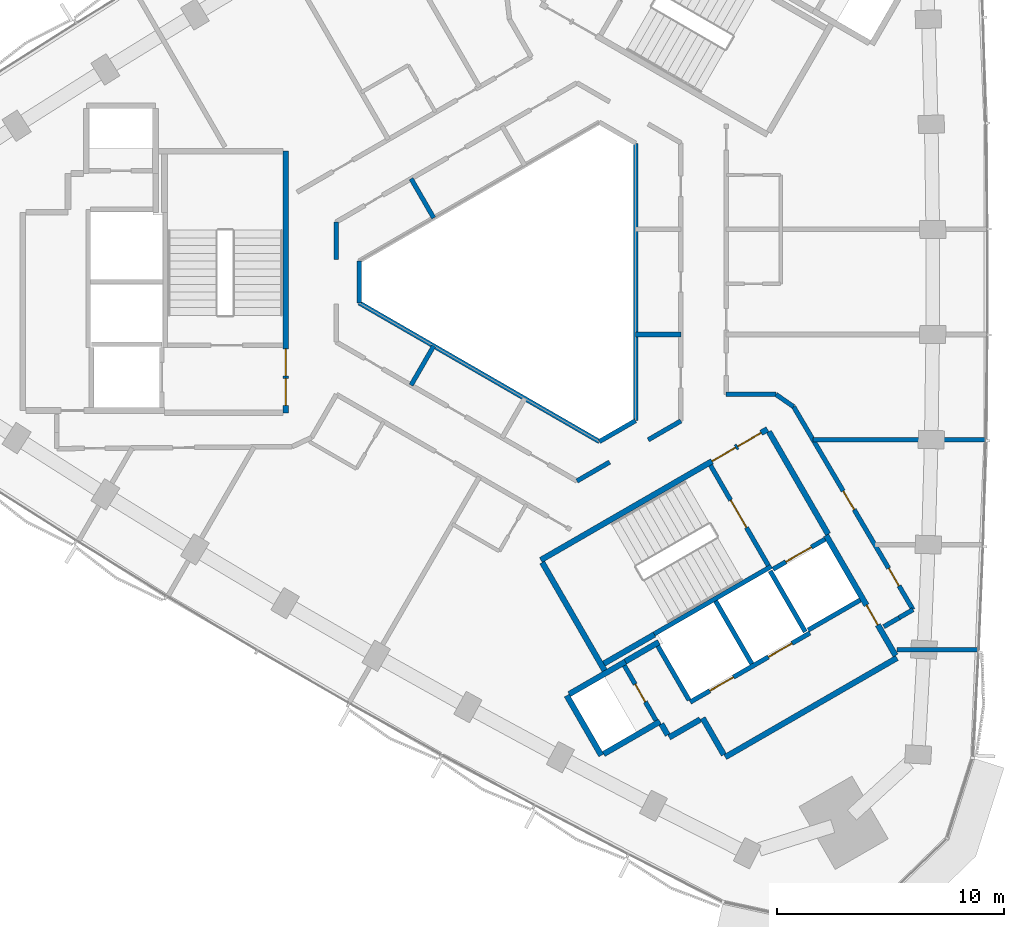
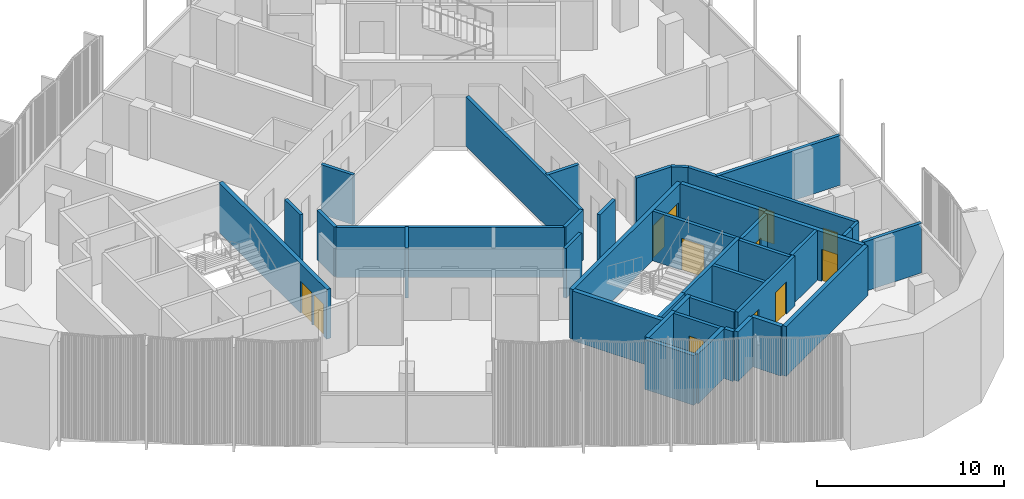
# One storey, part 8 of 14: 40 walls, 12 doors, 12 openings.
"""IFC4 building model written with IfcOpenShell, lengths in metres."""

from ifc_helpers import new_model, si_unit, direction, frame, frame_2d, origin, place, context, subcontext, project, spatial, rectangle, extrude, material, layer, layer_set, type_object, element, fill, save


model = new_model("IFC4")

# Units and contexts
model_context = context("Model", 3, precision=1e-05, world=origin(), true_north=direction((0.0, 1.0)))
body_context = subcontext(model_context, "Body", "Model", "MODEL_VIEW")
ifc_project = project(units=[si_unit("LENGTHUNIT", "METRE"), si_unit("AREAUNIT", "SQUARE_METRE"), si_unit("VOLUMEUNIT", "CUBIC_METRE"), si_unit("PLANEANGLEUNIT", "RADIAN"), si_unit("MASSUNIT", "GRAM", prefix="KILO")], contexts=[model_context])

# Site, building, storey
site_placement = place(None, origin())
site = spatial("IfcSite", under=ifc_project, at=site_placement, CompositionType="ELEMENT")
building_placement = place(site_placement, origin())
building = spatial("IfcBuilding", under=site, at=building_placement, Name="Tamra Quay Hotel Tower", CompositionType="ELEMENT")
storey_placement = place(building_placement, frame((0.0, 0.0, 197.199951171875)))
storey = spatial("IfcBuildingStorey", under=building, at=storey_placement, Name="L49", CompositionType="ELEMENT", Elevation=197.199951171875)

# Wall
ifc_material_1 = material(Name="Concrete M70", Category="concrete")
ifc_layer_1 = layer(ifc_material_1, 0.199951171875)
ifc_layer_set_1 = layer_set([ifc_layer_1], Name="Concrete M70 core wall 200")
wall_type_1 = type_object("IfcWallType", Name="Concrete M70 core wall 200", PredefinedType="SHEAR", material=ifc_layer_set_1)
wall_1_placement = place(storey_placement, frame((5.4189453125, -15.533935546875, 0.0), z_axis=(0.0, 0.0, 1.0), x_axis=(0.866029065029, 0.499993658486, 0.0)))
element("IfcWall", 1, at=wall_1_placement, inside=storey, type_object=wall_type_1, Name="CW2", PredefinedType="SHEAR", context=body_context, shape_type="SweptSolid", body=[
    extrude(rectangle(XDim=5.97412109375, YDim=0.199951171875, at=frame_2d((2.987060546875, 0.0))), origin(), (0.0, 0.0, 1.0), 3.25),
])

# Wall, openings, doors
wall_2_placement = place(storey_placement, frame((7.009765625, -18.54150390625, 0.0), z_axis=(0.0, 0.0, 1.0), x_axis=(0.866030299012, 0.499991521122, 0.0)))
wall_2 = element("IfcWall", 2, at=wall_2_placement, inside=storey, type_object=wall_type_1, Name="CW2", PredefinedType="SHEAR", context=body_context, shape_type="SweptSolid", body=[
    extrude(rectangle(XDim=6.10009765625, YDim=0.199951171875, at=frame_2d((3.050048828125, 0.0))), origin(), (0.0, 0.0, 1.0), 3.25),
])
opening_1_placement = place(wall_2_placement, frame((1.0, 0.0, 0.0)))
opening_1 = element("IfcOpeningElement", 3, at=opening_1_placement, cuts=wall_2, Name="Opening LD", PredefinedType="OPENING", context=body_context, shape_type="SweptSolid", body=[
    extrude(rectangle(XDim=1.199951171875, YDim=2.10009765625, at=frame_2d((0.60009765625, 1.050048828125))), frame((0.0, 0.10986328125, 0.0), z_axis=(0.0, -1.0, 0.0), x_axis=(1.0, 0.0, 0.0)), (0.0, 0.0, 1.0), 0.219970703125),
])
opening_2_placement = place(wall_2_placement, frame((3.982177734375, 0.0, 0.0)))
opening_2 = element("IfcOpeningElement", 4, at=opening_2_placement, cuts=wall_2, Name="Opening LD", PredefinedType="OPENING", context=body_context, shape_type="SweptSolid", body=[
    extrude(rectangle(XDim=1.199951171875, YDim=2.10009765625, at=frame_2d((0.60009765625, 1.050048828125))), frame((0.0, 0.10986328125, 0.0), z_axis=(0.0, -1.0, 0.0), x_axis=(1.0, 0.0, 0.0)), (0.0, 0.0, 1.0), 0.219970703125),
])
ifc_material_2 = material(Name="Landing door LD 1200 double door sliding")
door_type_1 = type_object("IfcDoorType", Name="Landing door LD 1200 double door sliding", OperationType="DOUBLE_DOOR_SLIDING", PredefinedType="DOOR", material=ifc_material_2)
door_1_placement = place(opening_1_placement, origin())
door_1 = element("IfcDoor", 5, at=door_1_placement, inside=storey, type_object=door_type_1, Name="LD", OperationType="DOUBLE_DOOR_SLIDING", OverallHeight=2.10009765625, OverallWidth=1.199951171875, PredefinedType="DOOR", context=body_context, shape_type="SweptSolid", body=[
    extrude(rectangle(XDim=1.199951171875, YDim=2.10009765625, at=frame_2d((0.60009765625, 1.050048828125))), frame((0.0, 0.02490234375, 0.0), z_axis=(0.0, -1.0, 0.0), x_axis=(1.0, 0.0, 0.0)), (0.0, 0.0, 1.0), 0.050048828125),
])
fill(opening_1, door_1)
door_2_placement = place(opening_2_placement, origin())
door_2 = element("IfcDoor", 6, at=door_2_placement, inside=storey, type_object=door_type_1, Name="LD", OperationType="DOUBLE_DOOR_SLIDING", OverallHeight=2.10009765625, OverallWidth=1.199951171875, PredefinedType="DOOR", context=body_context, shape_type="SweptSolid", body=[
    extrude(rectangle(XDim=1.199951171875, YDim=2.10009765625, at=frame_2d((0.60009765625, 1.050048828125))), frame((0.0, 0.02490234375, 0.0), z_axis=(0.0, -1.0, 0.0), x_axis=(1.0, 0.0, 0.0)), (0.0, 0.0, 1.0), 0.050048828125),
])
fill(opening_2, door_2)

# Wall, opening, door
wall_3_placement = place(storey_placement, frame((7.906494140625, -8.094482421875, 0.0), z_axis=(0.0, 0.0, 1.0), x_axis=(0.500027839223, -0.866009330205, 0.0)))
wall_3 = element("IfcWall", 7, at=wall_3_placement, inside=storey, type_object=wall_type_1, Name="CW2", PredefinedType="SHEAR", context=body_context, shape_type="SweptSolid", body=[
    extrude(rectangle(XDim=5.097900390625, YDim=0.199951171875, at=frame_2d((2.548828125, 0.0))), origin(), (0.0, 0.0, 1.0), 3.25),
])
opening_3_placement = place(wall_3_placement, frame((1.77392578125, 0.0, 0.0)))
opening_3 = element("IfcOpeningElement", 8, at=opening_3_placement, cuts=wall_3, Name="Opening FD2", PredefinedType="OPENING", context=body_context, shape_type="SweptSolid", body=[
    extrude(rectangle(XDim=1.39990234375, YDim=2.10009765625, at=frame_2d((0.699951171875, 1.050048828125))), frame((0.0, 0.10986328125, 0.0), z_axis=(0.0, -1.0, 0.0), x_axis=(1.0, 0.0, 0.0)), (0.0, 0.0, 1.0), 0.219970703125),
])
ifc_material_3 = material(Name="Core door FD2 1400x2100 LH")
door_type_2 = type_object("IfcDoorType", Name="Core door FD2 1400x2100 LH", OperationType="NOTDEFINED", PredefinedType="DOOR", material=ifc_material_3)
door_3_placement = place(opening_3_placement, origin())
door_3 = element("IfcDoor", 9, at=door_3_placement, inside=storey, type_object=door_type_2, Name="FD2", OperationType="SINGLE_SWING_LEFT", OverallHeight=2.10009765625, OverallWidth=1.39990234375, PredefinedType="DOOR", context=body_context, shape_type="SweptSolid", body=[
    extrude(rectangle(XDim=1.39990234375, YDim=2.10009765625, at=frame_2d((0.699951171875, 1.050048828125))), frame((0.0, 0.02490234375, 0.0), z_axis=(0.0, -1.0, 0.0), x_axis=(1.0, 0.0, 0.0)), (0.0, 0.0, 1.0), 0.050048828125),
])
fill(opening_3, door_3)

# Wall
wall_4_placement = place(storey_placement, frame((8.131591796875, -14.084228515625, 0.0), z_axis=(0.0, 0.0, 1.0), x_axis=(0.499997778408, -0.866026686418, 0.0)))
element("IfcWall", 10, at=wall_4_placement, inside=storey, type_object=wall_type_1, Name="CW2", PredefinedType="SHEAR", context=body_context, shape_type="SweptSolid", body=[
    extrude(rectangle(XDim=3.1982421875, YDim=0.199951171875, at=frame_2d((1.59912109375, 0.0))), origin(), (0.0, 0.0, 1.0), 3.25),
])

# Wall, opening, door
wall_5_placement = place(storey_placement, frame((5.50341796875, -19.352294921875, 0.0), z_axis=(0.0, 0.0, 1.0), x_axis=(-0.499986818241, 0.866033014143, 0.0)))
wall_5 = element("IfcWall", 11, at=wall_5_placement, inside=storey, type_object=wall_type_1, Name="CW2", PredefinedType="SHEAR", context=body_context, shape_type="SweptSolid", body=[
    extrude(rectangle(XDim=2.7978515625, YDim=0.199951171875, at=frame_2d((1.39892578125, 0.0))), origin(), (0.0, 0.0, 1.0), 3.25),
])
opening_4_placement = place(wall_5_placement, frame((0.948974609375, 0.0, 0.0)))
opening_4 = element("IfcOpeningElement", 12, at=opening_4_placement, cuts=wall_5, Name="Opening D1", PredefinedType="OPENING", context=body_context, shape_type="SweptSolid", body=[
    extrude(rectangle(XDim=0.89990234375, YDim=2.10009765625, at=frame_2d((0.449951171875, 1.050048828125))), frame((0.0, 0.10986328125, 0.0), z_axis=(0.0, -1.0, 0.0), x_axis=(1.0, 0.0, 0.0)), (0.0, 0.0, 1.0), 0.219970703125),
])
ifc_material_4 = material(Name="Core door D1 900x2100 RH")
door_type_3 = type_object("IfcDoorType", Name="Core door D1 900x2100 RH", OperationType="NOTDEFINED", PredefinedType="DOOR", material=ifc_material_4)
door_4_placement = place(opening_4_placement, origin())
door_4 = element("IfcDoor", 13, at=door_4_placement, inside=storey, type_object=door_type_3, Name="D1", OperationType="SINGLE_SWING_RIGHT", OverallHeight=2.10009765625, OverallWidth=0.89990234375, PredefinedType="DOOR", context=body_context, shape_type="SweptSolid", body=[
    extrude(rectangle(XDim=0.89990234375, YDim=2.10009765625, at=frame_2d((0.449951171875, 1.050048828125))), frame((0.0, 0.02490234375, 0.0), z_axis=(0.0, -1.0, 0.0), x_axis=(1.0, 0.0, 0.0)), (0.0, 0.0, 1.0), 0.050048828125),
])
fill(opening_4, door_4)

# Walls
wall_6_placement = place(storey_placement, frame((6.959716796875, -18.455078125, 0.0), z_axis=(0.0, 0.0, 1.0), x_axis=(-0.499926705758, 0.866067716099, 0.0)))
element("IfcWall", 14, at=wall_6_placement, inside=storey, type_object=wall_type_1, Name="CW2", PredefinedType="SHEAR", context=body_context, shape_type="SweptSolid", body=[
    extrude(rectangle(XDim=2.75927734375, YDim=0.199951171875, at=frame_2d((1.379638671875, 0.0))), origin(), (0.0, 0.0, 1.0), 3.25),
])
wall_7_placement = place(storey_placement, frame((12.087646484375, -15.4365234375, 0.0), z_axis=(0.0, 0.0, 1.0), x_axis=(-0.500026960575, 0.86600983753, 0.0)))
element("IfcWall", 15, at=wall_7_placement, inside=storey, type_object=wall_type_1, Name="CW2", PredefinedType="SHEAR", context=body_context, shape_type="SweptSolid", body=[
    extrude(rectangle(XDim=3.099853515625, YDim=0.199951171875, at=frame_2d((1.5498046875, 0.0))), origin(), (0.0, 0.0, 1.0), 3.25),
])

# Wall, opening, door
wall_8_placement = place(storey_placement, frame((10.666015625, -12.677734375, 0.0), z_axis=(0.0, 0.0, 1.0), x_axis=(0.866018407898, 0.500012117035, 0.0)))
wall_8 = element("IfcWall", 16, at=wall_8_placement, inside=storey, type_object=wall_type_1, Name="CW2", PredefinedType="SHEAR", context=body_context, shape_type="SweptSolid", body=[
    extrude(rectangle(XDim=2.65087890625, YDim=0.199951171875, at=frame_2d((1.325439453125, 0.0))), origin(), (0.0, 0.0, 1.0), 3.25),
])
opening_5_placement = place(wall_8_placement, frame((0.65185546875, 0.0, 0.0)))
opening_5 = element("IfcOpeningElement", 17, at=opening_5_placement, cuts=wall_8, Name="Opening LD", PredefinedType="OPENING", context=body_context, shape_type="SweptSolid", body=[
    extrude(rectangle(XDim=1.300048828125, YDim=2.10009765625, at=frame_2d((0.64990234375, 1.050048828125))), frame((0.0, 0.10986328125, 0.0), z_axis=(0.0, -1.0, 0.0), x_axis=(1.0, 0.0, 0.0)), (0.0, 0.0, 1.0), 0.219970703125),
])
ifc_material_5 = material(Name="Landing door LD 1300 sliding to left")
door_type_4 = type_object("IfcDoorType", Name="Landing door LD 1300 sliding to left", OperationType="NOTDEFINED", PredefinedType="DOOR", material=ifc_material_5)
door_5_placement = place(opening_5_placement, origin())
door_5 = element("IfcDoor", 18, at=door_5_placement, inside=storey, type_object=door_type_4, Name="LD", OperationType="SLIDING_TO_LEFT", OverallHeight=2.10009765625, OverallWidth=1.300048828125, PredefinedType="DOOR", context=body_context, shape_type="SweptSolid", body=[
    extrude(rectangle(XDim=1.300048828125, YDim=2.10009765625, at=frame_2d((0.64990234375, 1.050048828125))), frame((0.0, 0.02490234375, 0.0), z_axis=(0.0, -1.0, 0.0), x_axis=(1.0, 0.0, 0.0)), (0.0, 0.0, 1.0), 0.050048828125),
])
fill(opening_5, door_5)

# Wall
wall_9_placement = place(storey_placement, frame((14.51171875, -14.037109375, 0.0), z_axis=(0.0, 0.0, 1.0), x_axis=(-0.866018407898, -0.500012117035, 0.0)))
element("IfcWall", 19, at=wall_9_placement, inside=storey, type_object=wall_type_1, Name="CW2", PredefinedType="SHEAR", context=body_context, shape_type="SweptSolid", body=[
    extrude(rectangle(XDim=2.65087890625, YDim=0.199951171875, at=frame_2d((1.325439453125, 0.0))), origin(), (0.0, 0.0, 1.0), 3.25),
])

# Wall, openings, doors
ifc_layer_2 = layer(ifc_material_1, 0.25)
ifc_layer_set_2 = layer_set([ifc_layer_2], Name="Concrete M70 core wall 250")
wall_type_2 = type_object("IfcWallType", Name="Concrete M70 core wall 250", PredefinedType="SHEAR", material=ifc_layer_set_2)
wall_10_placement = place(storey_placement, frame((-10.83740234375, 5.77490234375, 0.0), z_axis=(0.0, 0.0, 1.0), x_axis=(0.0, -1.0, 0.0)))
wall_10 = element("IfcWall", 20, at=wall_10_placement, inside=storey, type_object=wall_type_2, Name="CW1", PredefinedType="SHEAR", context=body_context, shape_type="SweptSolid", body=[
    extrude(rectangle(XDim=11.5498046875, YDim=0.25, at=frame_2d((5.77490234375, 0.0))), origin(), (0.0, 0.0, 1.0), 3.25),
])
opening_6_placement = place(wall_10_placement, frame((10.02490234375, 0.0, 0.0)))
opening_6 = element("IfcOpeningElement", 21, at=opening_6_placement, cuts=wall_10, Name="Opening FD1", PredefinedType="OPENING", context=body_context, shape_type="SweptSolid", body=[
    extrude(rectangle(XDim=1.199951171875, YDim=2.10009765625, at=frame_2d((0.60009765625, 1.050048828125))), frame((0.0, 0.135009765625, 0.0), z_axis=(0.0, -1.0, 0.0), x_axis=(1.0, 0.0, 0.0)), (0.0, 0.0, 1.0), 0.27001953125),
])
opening_7_placement = place(wall_10_placement, frame((8.72509765625, 0.0, 0.0)))
opening_7 = element("IfcOpeningElement", 22, at=opening_7_placement, cuts=wall_10, Name="Opening FD1", PredefinedType="OPENING", context=body_context, shape_type="SweptSolid", body=[
    extrude(rectangle(XDim=1.199951171875, YDim=2.10009765625, at=frame_2d((0.60009765625, 1.050048828125))), frame((0.0, 0.135009765625, 0.0), z_axis=(0.0, -1.0, 0.0), x_axis=(1.0, 0.0, 0.0)), (0.0, 0.0, 1.0), 0.27001953125),
])
ifc_material_6 = material(Name="Core door FD1 1200x2100 LH")
door_type_5 = type_object("IfcDoorType", Name="Core door FD1 1200x2100 LH", OperationType="NOTDEFINED", PredefinedType="DOOR", material=ifc_material_6)
door_6_placement = place(opening_6_placement, origin())
door_6 = element("IfcDoor", 23, at=door_6_placement, inside=storey, type_object=door_type_5, Name="FD1", OperationType="SINGLE_SWING_LEFT", OverallHeight=2.10009765625, OverallWidth=1.199951171875, PredefinedType="DOOR", context=body_context, shape_type="SweptSolid", body=[
    extrude(rectangle(XDim=1.199951171875, YDim=2.10009765625, at=frame_2d((0.60009765625, 1.050048828125))), frame((0.0, 0.02490234375, 0.0), z_axis=(0.0, -1.0, 0.0), x_axis=(1.0, 0.0, 0.0)), (0.0, 0.0, 1.0), 0.050048828125),
])
fill(opening_6, door_6)
ifc_material_7 = material(Name="Core door FD1 1200x2100 RH")
door_type_6 = type_object("IfcDoorType", Name="Core door FD1 1200x2100 RH", OperationType="NOTDEFINED", PredefinedType="DOOR", material=ifc_material_7)
door_7_placement = place(opening_7_placement, origin())
door_7 = element("IfcDoor", 24, at=door_7_placement, inside=storey, type_object=door_type_6, Name="FD1", OperationType="SINGLE_SWING_RIGHT", OverallHeight=2.10009765625, OverallWidth=1.199951171875, PredefinedType="DOOR", context=body_context, shape_type="SweptSolid", body=[
    extrude(rectangle(XDim=1.199951171875, YDim=2.10009765625, at=frame_2d((0.60009765625, 1.050048828125))), frame((0.0, 0.02490234375, 0.0), z_axis=(0.0, -1.0, 0.0), x_axis=(1.0, 0.0, 0.0)), (0.0, 0.0, 1.0), 0.050048828125),
])
fill(opening_7, door_7)

wall_11_placement = place(storey_placement, frame((0.417236328125, -12.27294921875, 0.0), z_axis=(0.0, 0.0, 1.0), x_axis=(0.866021906294, 0.500006057782, 0.0)))
wall_11 = element("IfcWall", 25, at=wall_11_placement, inside=storey, type_object=wall_type_2, Name="CW1", PredefinedType="SHEAR", context=body_context, shape_type="SweptSolid", body=[
    extrude(rectangle(XDim=11.550048828125, YDim=0.25, at=frame_2d((5.77490234375, 0.0))), origin(), (0.0, 0.0, 1.0), 3.25),
])
opening_8_placement = place(wall_11_placement, frame((10.024658203125, 0.0, 0.0)))
opening_8 = element("IfcOpeningElement", 26, at=opening_8_placement, cuts=wall_11, Name="Opening FD1", PredefinedType="OPENING", context=body_context, shape_type="SweptSolid", body=[
    extrude(rectangle(XDim=1.199951171875, YDim=2.10009765625, at=frame_2d((0.60009765625, 1.050048828125))), frame((0.0, 0.135009765625, 0.0), z_axis=(0.0, -1.0, 0.0), x_axis=(1.0, 0.0, 0.0)), (0.0, 0.0, 1.0), 0.27001953125),
])
opening_9_placement = place(wall_11_placement, frame((8.724609375, 0.0, 0.0)))
opening_9 = element("IfcOpeningElement", 27, at=opening_9_placement, cuts=wall_11, Name="Opening FD1", PredefinedType="OPENING", context=body_context, shape_type="SweptSolid", body=[
    extrude(rectangle(XDim=1.199951171875, YDim=2.10009765625, at=frame_2d((0.60009765625, 1.050048828125))), frame((0.0, 0.135009765625, 0.0), z_axis=(0.0, -1.0, 0.0), x_axis=(1.0, 0.0, 0.0)), (0.0, 0.0, 1.0), 0.27001953125),
])
door_8_placement = place(opening_8_placement, origin())
door_8 = element("IfcDoor", 28, at=door_8_placement, inside=storey, type_object=door_type_5, Name="FD1", OperationType="SINGLE_SWING_LEFT", OverallHeight=2.10009765625, OverallWidth=1.199951171875, PredefinedType="DOOR", context=body_context, shape_type="SweptSolid", body=[
    extrude(rectangle(XDim=1.199951171875, YDim=2.10009765625, at=frame_2d((0.60009765625, 1.050048828125))), frame((0.0, 0.02490234375, 0.0), z_axis=(0.0, -1.0, 0.0), x_axis=(1.0, 0.0, 0.0)), (0.0, 0.0, 1.0), 0.050048828125),
])
fill(opening_8, door_8)
door_9_placement = place(opening_9_placement, origin())
door_9 = element("IfcDoor", 29, at=door_9_placement, inside=storey, type_object=door_type_6, Name="FD1", OperationType="SINGLE_SWING_RIGHT", OverallHeight=2.10009765625, OverallWidth=1.199951171875, PredefinedType="DOOR", context=body_context, shape_type="SweptSolid", body=[
    extrude(rectangle(XDim=1.199951171875, YDim=2.10009765625, at=frame_2d((0.60009765625, 1.050048828125))), frame((0.0, 0.02490234375, 0.0), z_axis=(0.0, -1.0, 0.0), x_axis=(1.0, 0.0, 0.0)), (0.0, 0.0, 1.0), 0.050048828125),
])
fill(opening_9, door_9)

# Wall
wall_12_placement = place(storey_placement, frame((16.13330078125, -16.59375, 0.0), z_axis=(0.0, 0.0, 1.0), x_axis=(-0.866022959057, -0.500004234368, 0.0)))
element("IfcWall", 30, at=wall_12_placement, inside=storey, type_object=wall_type_2, Name="CW1", PredefinedType="SHEAR", context=body_context, shape_type="SweptSolid", body=[
    extrude(rectangle(XDim=8.75, YDim=0.25, at=frame_2d((4.375, 0.0))), origin(), (0.0, 0.0, 1.0), 3.25),
])

# Wall, opening, door
wall_13_placement = place(storey_placement, frame((13.00830078125, -11.18115234375, 0.0), z_axis=(0.0, 0.0, 1.0), x_axis=(0.500001955336, -0.866024274868, 0.0)))
wall_13 = element("IfcWall", 31, at=wall_13_placement, inside=storey, type_object=wall_type_2, Name="CW1", PredefinedType="SHEAR", context=body_context, shape_type="SweptSolid", body=[
    extrude(rectangle(XDim=6.12451171875, YDim=0.25, at=frame_2d((3.062255859375, 0.0))), origin(), (0.0, 0.0, 1.0), 3.25),
])
opening_10_placement = place(wall_13_placement, frame((3.562744140625, 0.0, 0.0)))
opening_10 = element("IfcOpeningElement", 32, at=opening_10_placement, cuts=wall_13, Name="Opening FD3", PredefinedType="OPENING", context=body_context, shape_type="SweptSolid", body=[
    extrude(rectangle(XDim=1.0, YDim=2.10009765625, at=frame_2d((0.5, 1.050048828125))), frame((0.0, 0.135009765625, 0.0), z_axis=(0.0, -1.0, 0.0), x_axis=(1.0, 0.0, 0.0)), (0.0, 0.0, 1.0), 0.27001953125),
])
ifc_material_8 = material(Name="Core door FD3 1000x2100 LH")
door_type_7 = type_object("IfcDoorType", Name="Core door FD3 1000x2100 LH", OperationType="NOTDEFINED", PredefinedType="DOOR", material=ifc_material_8)
door_10_placement = place(opening_10_placement, origin())
door_10 = element("IfcDoor", 33, at=door_10_placement, inside=storey, type_object=door_type_7, Name="FD3", OperationType="SINGLE_SWING_LEFT", OverallHeight=2.10009765625, OverallWidth=1.0, PredefinedType="DOOR", context=body_context, shape_type="SweptSolid", body=[
    extrude(rectangle(XDim=1.0, YDim=2.10009765625, at=frame_2d((0.5, 1.050048828125))), frame((0.0, 0.02490234375, 0.0), z_axis=(0.0, -1.0, 0.0), x_axis=(1.0, 0.0, 0.0)), (0.0, 0.0, 1.0), 0.050048828125),
])
fill(opening_10, door_10)

# Walls
wall_14_placement = place(storey_placement, frame((3.23486328125, -17.15283203125, 0.0), z_axis=(0.0, 0.0, 1.0), x_axis=(-0.500008851346, 0.866020293397, 0.0)))
element("IfcWall", 34, at=wall_14_placement, inside=storey, type_object=wall_type_2, Name="CW1", PredefinedType="SHEAR", context=body_context, shape_type="SweptSolid", body=[
    extrude(rectangle(XDim=5.509765625, YDim=0.25, at=frame_2d((2.7548828125, 0.0))), origin(), (0.0, 0.0, 1.0), 3.25),
])
wall_15_placement = place(storey_placement, frame((10.482666015625, -6.6064453125, 0.0), z_axis=(0.0, 0.0, 1.0), x_axis=(0.49999885962, -0.866026062182, 0.0)))
element("IfcWall", 35, at=wall_15_placement, inside=storey, type_object=wall_type_2, Name="CW1", PredefinedType="SHEAR", context=body_context, shape_type="SweptSolid", body=[
    extrude(rectangle(XDim=5.224609375, YDim=0.25, at=frame_2d((2.6123046875, 0.0))), origin(), (0.0, 0.0, 1.0), 3.25),
])
wall_16_placement = place(storey_placement, frame((3.085205078125, -20.893798828125, 0.0), z_axis=(0.0, 0.0, 1.0), x_axis=(-0.499978833458, 0.866037623948, 0.0)))
element("IfcWall", 36, at=wall_16_placement, inside=storey, type_object=wall_type_2, Name="CW1", PredefinedType="SHEAR", context=body_context, shape_type="SweptSolid", body=[
    extrude(rectangle(XDim=3.050048828125, YDim=0.25, at=frame_2d((1.52490234375, 0.0))), origin(), (0.0, 0.0, 1.0), 3.25),
])
wall_17_placement = place(storey_placement, frame((1.6689453125, -18.189697265625, 0.0), z_axis=(0.0, 0.0, 1.0), x_axis=(0.866042235819, 0.499970844928, 0.0)))
element("IfcWall", 37, at=wall_17_placement, inside=storey, type_object=wall_type_2, Name="CW1", PredefinedType="SHEAR", context=body_context, shape_type="SweptSolid", body=[
    extrude(rectangle(XDim=2.864501953125, YDim=0.25, at=frame_2d((1.43212890625, 0.0))), origin(), (0.0, 0.0, 1.0), 3.25),
])
wall_18_placement = place(storey_placement, frame((5.6748046875, -19.39892578125, 0.0), z_axis=(0.0, 0.0, 1.0), x_axis=(-0.866026637627, -0.499997862916, 0.0)))
element("IfcWall", 38, at=wall_18_placement, inside=storey, type_object=wall_type_2, Name="CW1", PredefinedType="SHEAR", context=body_context, shape_type="SweptSolid", body=[
    extrude(rectangle(XDim=2.86474609375, YDim=0.25, at=frame_2d((1.432373046875, 0.0))), origin(), (0.0, 0.0, 1.0), 3.25),
])
wall_19_placement = place(storey_placement, frame((5.4306640625, -15.55615234375, 0.0), z_axis=(0.0, 0.0, 1.0), x_axis=(-0.866022940537, -0.500004266446, 0.0)))
element("IfcWall", 39, at=wall_19_placement, inside=storey, type_object=wall_type_2, Name="CW1", PredefinedType="SHEAR", context=body_context, shape_type="SweptSolid", body=[
    extrude(rectangle(XDim=2.57470703125, YDim=0.25, at=frame_2d((1.287353515625, 0.0))), origin(), (0.0, 0.0, 1.0), 3.25),
])
wall_20_placement = place(storey_placement, frame((8.492919921875, -20.860107421875, 0.0), z_axis=(0.0, 0.0, 1.0), x_axis=(-0.500039802285, 0.866002422705, 0.0)))
element("IfcWall", 40, at=wall_20_placement, inside=storey, type_object=wall_type_2, Name="CW1", PredefinedType="SHEAR", context=body_context, shape_type="SweptSolid", body=[
    extrude(rectangle(XDim=1.864501953125, YDim=0.25, at=frame_2d((0.93212890625, 0.0))), origin(), (0.0, 0.0, 1.0), 3.25),
])
wall_21_placement = place(storey_placement, frame((4.144775390625, -16.748779296875, 0.0), z_axis=(0.0, 0.0, 1.0), x_axis=(0.866038183914, 0.499977863513, 0.0)))
element("IfcWall", 41, at=wall_21_placement, inside=storey, type_object=wall_type_2, Name="CW1", PredefinedType="SHEAR", context=body_context, shape_type="SweptSolid", body=[
    extrude(rectangle(XDim=1.7099609375, YDim=0.25, at=frame_2d((0.85498046875, 0.0))), origin(), (0.0, 0.0, 1.0), 3.25),
])
wall_22_placement = place(storey_placement, frame((7.451904296875, -19.30810546875, 0.0), z_axis=(0.0, 0.0, 1.0), x_axis=(-0.866044474677, -0.49996696679, 0.0)))
element("IfcWall", 42, at=wall_22_placement, inside=storey, type_object=wall_type_2, Name="CW1", PredefinedType="SHEAR", context=body_context, shape_type="SweptSolid", body=[
    extrude(rectangle(XDim=1.58447265625, YDim=0.25, at=frame_2d((0.792236328125, 0.0))), origin(), (0.0, 0.0, 1.0), 3.25),
])
wall_23_placement = place(storey_placement, frame((6.01708984375, -19.99169921875, 0.0), z_axis=(0.0, 0.0, 1.0), x_axis=(-0.500364886717, 0.865814633822, 0.0)))
element("IfcWall", 43, at=wall_23_placement, inside=storey, type_object=wall_type_2, Name="CW1", PredefinedType="SHEAR", context=body_context, shape_type="SweptSolid", body=[
    extrude(rectangle(XDim=0.55908203125, YDim=0.25, at=frame_2d((0.279541015625, 0.0))), origin(), (0.0, 0.0, 1.0), 3.25),
])
ifc_material_9 = material(Name="Partition corridor wall")
ifc_layer_3 = layer(ifc_material_9, 0.199951171875)
ifc_layer_set_3 = layer_set([ifc_layer_3], Name="Partition corridor wall")
wall_type_3 = type_object("IfcWallType", Name="Partition corridor wall", PredefinedType="PARTITIONING", material=ifc_layer_set_3)
wall_24_placement = place(storey_placement, frame((-8.612060546875, 0.98193359375, 0.0), z_axis=(0.0, 0.0, 1.0), x_axis=(0.0, 1.0, 0.0)))
element("IfcWall", 44, at=wall_24_placement, inside=storey, type_object=wall_type_3, Name="W-C", PredefinedType="PARTITIONING", context=body_context, shape_type="SweptSolid", body=[
    extrude(rectangle(XDim=1.6669921875, YDim=0.199951171875, at=frame_2d((0.83349609375, 0.0))), origin(), (0.0, 0.0, 1.0), 3.25),
])
wall_25_placement = place(storey_placement, frame((2.012451171875, -8.78369140625, 0.0), z_axis=(0.0, 0.0, 1.0), x_axis=(0.865934186891, 0.500157959022, 0.0)))
element("IfcWall", 45, at=wall_25_placement, inside=storey, type_object=wall_type_3, Name="W-C", PredefinedType="PARTITIONING", context=body_context, shape_type="SweptSolid", body=[
    extrude(rectangle(XDim=1.666015625, YDim=0.199951171875, at=frame_2d((0.8330078125, 0.0))), origin(), (0.0, 0.0, 1.0), 3.25),
])
wall_26_placement = place(storey_placement, frame((5.156005859375, -6.968017578125, 0.0), z_axis=(0.0, 0.0, 1.0), x_axis=(0.865963705197, 0.500106849865, 0.0)))
element("IfcWall", 46, at=wall_26_placement, inside=storey, type_object=wall_type_3, Name="W-C", PredefinedType="PARTITIONING", context=body_context, shape_type="SweptSolid", body=[
    extrude(rectangle(XDim=1.667724609375, YDim=0.199951171875, at=frame_2d((0.833984375, 0.0))), origin(), (0.0, 0.0, 1.0), 3.25),
])
wall_27_placement = place(storey_placement, frame((8.60009765625, -4.966064453125, 0.0), z_axis=(0.0, 0.0, 1.0), x_axis=(1.0, 0.0, 0.0)))
element("IfcWall", 47, at=wall_27_placement, inside=storey, type_object=wall_type_3, Name="W-C", PredefinedType="PARTITIONING", context=body_context, shape_type="SweptSolid", body=[
    extrude(rectangle(XDim=2.19287109375, YDim=0.199951171875, at=frame_2d((1.096435546875, 0.0))), origin(), (0.0, 0.0, 1.0), 3.25),
])
wall_28_placement = place(storey_placement, frame((10.7939453125, -4.966064453125, 0.0), z_axis=(0.0, 0.0, 1.0), x_axis=(0.822266583859, -0.569102508401, 0.0)))
element("IfcWall", 48, at=wall_28_placement, inside=storey, type_object=wall_type_3, Name="W-C", PredefinedType="PARTITIONING", context=body_context, shape_type="SweptSolid", body=[
    extrude(rectangle(XDim=0.945068359375, YDim=0.199951171875, at=frame_2d((0.47265625, 0.0))), origin(), (0.0, 0.0, 1.0), 3.25),
])

# Wall, openings, doors
wall_29_placement = place(storey_placement, frame((11.572509765625, -5.504150390625, 0.0), z_axis=(0.0, 0.0, 1.0), x_axis=(0.507120747865, -0.861875018251, 0.0)))
wall_29 = element("IfcWall", 49, at=wall_29_placement, inside=storey, type_object=wall_type_3, Name="W-C", PredefinedType="PARTITIONING", context=body_context, shape_type="SweptSolid", body=[
    extrude(rectangle(XDim=10.39111328125, YDim=0.199951171875, at=frame_2d((5.195556640625, 0.0))), origin(), (0.0, 0.0, 1.0), 3.25),
])
opening_11_placement = place(wall_29_placement, frame((8.27099609375, 0.0, 0.0)))
opening_11 = element("IfcOpeningElement", 50, at=opening_11_placement, cuts=wall_29, Name="Opening L49-D001", PredefinedType="OPENING", context=body_context, shape_type="SweptSolid", body=[
    extrude(rectangle(XDim=0.89990234375, YDim=2.10009765625, at=frame_2d((0.449951171875, 1.050048828125))), frame((0.0, 0.10986328125, 0.0), z_axis=(0.0, -1.0, 0.0), x_axis=(1.0, 0.0, 0.0)), (0.0, 0.0, 1.0), 0.219970703125),
])
opening_12_placement = place(wall_29_placement, frame((4.321044921875, 0.0, 0.0)))
opening_12 = element("IfcOpeningElement", 51, at=opening_12_placement, cuts=wall_29, Name="Opening L49-D002", PredefinedType="OPENING", context=body_context, shape_type="SweptSolid", body=[
    extrude(rectangle(XDim=0.949951171875, YDim=2.10009765625, at=frame_2d((0.47509765625, 1.050048828125))), frame((0.0, 0.10986328125, 0.0), z_axis=(0.0, -1.0, 0.0), x_axis=(1.0, 0.0, 0.0)), (0.0, 0.0, 1.0), 0.219970703125),
])
ifc_material_10 = material(Name="Door guest room 950x2100")
door_type_8 = type_object("IfcDoorType", Name="Door guest room 950x2100", OperationType="NOTDEFINED", PredefinedType="DOOR", material=ifc_material_10)
door_11_placement = place(opening_12_placement, origin())
door_11 = element("IfcDoor", 52, at=door_11_placement, inside=storey, type_object=door_type_8, Name="L49-D002", OperationType="SINGLE_SWING_LEFT", OverallHeight=2.10009765625, OverallWidth=0.949951171875, PredefinedType="DOOR", context=body_context, shape_type="SweptSolid", body=[
    extrude(rectangle(XDim=0.949951171875, YDim=2.10009765625, at=frame_2d((0.47509765625, 1.050048828125))), frame((0.0, 0.02490234375, 0.0), z_axis=(0.0, -1.0, 0.0), x_axis=(1.0, 0.0, 0.0)), (0.0, 0.0, 1.0), 0.050048828125),
])
fill(opening_12, door_11)
ifc_material_11 = material(Name="Door service room 900x2100")
door_type_9 = type_object("IfcDoorType", Name="Door service room 900x2100", OperationType="NOTDEFINED", PredefinedType="DOOR", material=ifc_material_11)
door_12_placement = place(opening_11_placement, origin())
door_12 = element("IfcDoor", 53, at=door_12_placement, inside=storey, type_object=door_type_9, Name="L49-D001", OperationType="SINGLE_SWING_LEFT", OverallHeight=2.10009765625, OverallWidth=0.89990234375, PredefinedType="DOOR", context=body_context, shape_type="SweptSolid", body=[
    extrude(rectangle(XDim=0.89990234375, YDim=2.10009765625, at=frame_2d((0.449951171875, 1.050048828125))), frame((0.0, 0.02490234375, 0.0), z_axis=(0.0, -1.0, 0.0), x_axis=(1.0, 0.0, 0.0)), (0.0, 0.0, 1.0), 0.050048828125),
])
fill(opening_11, door_12)

# Walls
wall_30_placement = place(storey_placement, frame((15.5498046875, -15.213134765625, 0.0), z_axis=(0.0, 0.0, 1.0), x_axis=(0.865989998118, 0.500061319399, 0.0)))
element("IfcWall", 54, at=wall_30_placement, inside=storey, type_object=wall_type_3, Name="W-C", PredefinedType="PARTITIONING", context=body_context, shape_type="SweptSolid", body=[
    extrude(rectangle(XDim=0.7900390625, YDim=0.199951171875, at=frame_2d((0.39501953125, 0.0))), origin(), (0.0, 0.0, 1.0), 3.25),
])
wall_31_placement = place(storey_placement, frame((16.235107421875, -14.81396484375, 0.0), z_axis=(0.0, 0.0, 1.0), x_axis=(0.863804104711, 0.503827816505, 0.0)))
element("IfcWall", 55, at=wall_31_placement, inside=storey, type_object=wall_type_3, Name="W-C", PredefinedType="PARTITIONING", context=body_context, shape_type="SweptSolid", body=[
    extrude(rectangle(XDim=0.70263671875, YDim=0.199951171875, at=frame_2d((0.351318359375, 0.0))), origin(), (0.0, 0.0, 1.0), 3.25),
])
ifc_material_12 = material(Name="Partition party wall")
ifc_layer_4 = layer(ifc_material_12, 0.199951171875)
ifc_layer_set_4 = layer_set([ifc_layer_4], Name="Partition party wall")
wall_type_4 = type_object("IfcWallType", Name="Partition party wall", PredefinedType="PARTITIONING", material=ifc_layer_set_4)
wall_32_placement = place(storey_placement, frame((-7.60009765625, -0.924072265625, 0.0), z_axis=(0.0, 0.0, 1.0), x_axis=(0.0, 1.0, 0.0)))
element("IfcWall", 56, at=wall_32_placement, inside=storey, type_object=wall_type_4, Name="W-P", PredefinedType="PARTITIONING", context=body_context, shape_type="SweptSolid", body=[
    extrude(rectangle(XDim=1.84814453125, YDim=0.199951171875, at=frame_2d((0.924072265625, 0.0))), origin(), (0.0, 0.0, 1.0), 3.25),
])
wall_33_placement = place(storey_placement, frame((-7.60009765625, -0.924072265625, 0.0), z_axis=(0.0, 0.0, 1.0), x_axis=(0.866073324109, -0.499916990376, 0.0)))
element("IfcWall", 57, at=wall_33_placement, inside=storey, type_object=wall_type_4, Name="W-P", PredefinedType="PARTITIONING", context=body_context, shape_type="SweptSolid", body=[
    extrude(rectangle(XDim=12.23974609375, YDim=0.199951171875, at=frame_2d((6.119873046875, 0.0))), origin(), (0.0, 0.0, 1.0), 3.25),
])
for number, where, z_axis, x_axis, name in (
    (58, (-5.308349609375, 4.555908203125, 0.0), (0.0, 0.0, 1.0), (0.499972520799, -0.866041268327, 0.0), "W-P"),
    (59, (-5.30810546875, -4.555908203125, 0.0), (0.0, 0.0, 1.0), (0.50002537861, 0.866010750942, 0.0), "W-P"),
):
    element("IfcWall", number, at=place(storey_placement, frame(where, z_axis=z_axis, x_axis=x_axis)), inside=storey, type_object=wall_type_4, Name=name, PredefinedType="PARTITIONING", context=body_context, shape_type="SweptSolid", body=[
        extrude(rectangle(XDim=2.0, YDim=0.199951171875, at=frame_2d((1.0, 0.0))), origin(), (0.0, 0.0, 1.0), 3.25),
    ])
wall_34_placement = place(storey_placement, frame((3.000244140625, -7.04443359375, 0.0), z_axis=(0.0, 0.0, 1.0), x_axis=(0.865875248522, 0.500259986404, 0.0)))
element("IfcWall", 60, at=wall_34_placement, inside=storey, type_object=wall_type_4, Name="W-P", PredefinedType="PARTITIONING", context=body_context, shape_type="SweptSolid", body=[
    extrude(rectangle(XDim=1.84765625, YDim=0.199951171875, at=frame_2d((0.923828125, 0.0))), origin(), (0.0, 0.0, 1.0), 3.25),
])
wall_35_placement = place(storey_placement, frame((4.60009765625, -6.1201171875, 0.0), z_axis=(0.0, 0.0, 1.0), x_axis=(0.0, 1.0, 0.0)))
element("IfcWall", 61, at=wall_35_placement, inside=storey, type_object=wall_type_4, Name="W-P", PredefinedType="PARTITIONING", context=body_context, shape_type="SweptSolid", body=[
    extrude(rectangle(XDim=12.240234375, YDim=0.199951171875, at=frame_2d((6.1201171875, 0.0))), origin(), (0.0, 0.0, 1.0), 3.25),
])
wall_36_placement = place(storey_placement, frame((4.60009765625, -2.319091796875, 0.0), z_axis=(0.0, 0.0, 1.0), x_axis=(1.0, 0.0, 0.0)))
element("IfcWall", 62, at=wall_36_placement, inside=storey, type_object=wall_type_4, Name="W-P", PredefinedType="PARTITIONING", context=body_context, shape_type="SweptSolid", body=[
    extrude(rectangle(XDim=2.0, YDim=0.199951171875, at=frame_2d((1.0, 0.0))), origin(), (0.0, 0.0, 1.0), 3.25),
])
wall_37_placement = place(storey_placement, frame((12.426025390625, -6.9560546875, 0.0), z_axis=(0.0, 0.0, 1.0), x_axis=(1.0, 0.0, 0.0)))
element("IfcWall", 63, at=wall_37_placement, inside=storey, type_object=wall_type_4, Name="W-P", PredefinedType="PARTITIONING", context=body_context, shape_type="SweptSolid", body=[
    extrude(rectangle(XDim=7.628173828125, YDim=0.199951171875, at=frame_2d((3.81396484375, 0.0))), origin(), (0.0, 0.0, 1.0), 3.25),
])
wall_38_placement = place(storey_placement, frame((16.134033203125, -16.22509765625, 0.0), z_axis=(0.0, 0.0, 1.0), x_axis=(1.0, 0.0, 0.0)))
element("IfcWall", 64, at=wall_38_placement, inside=storey, type_object=wall_type_4, Name="W-P", PredefinedType="PARTITIONING", context=body_context, shape_type="SweptSolid", body=[
    extrude(rectangle(XDim=3.600341796875, YDim=0.199951171875, at=frame_2d((1.80029296875, 0.0))), origin(), (0.0, 0.0, 1.0), 3.25),
])

save(model, "model.ifc")
